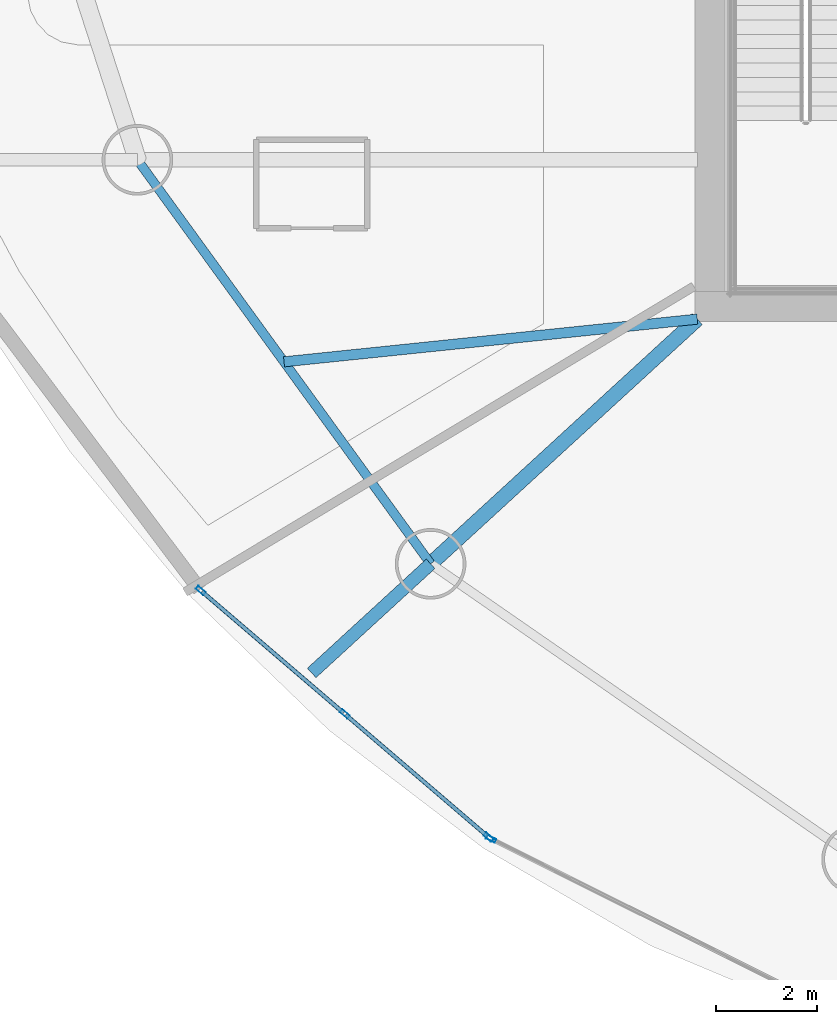
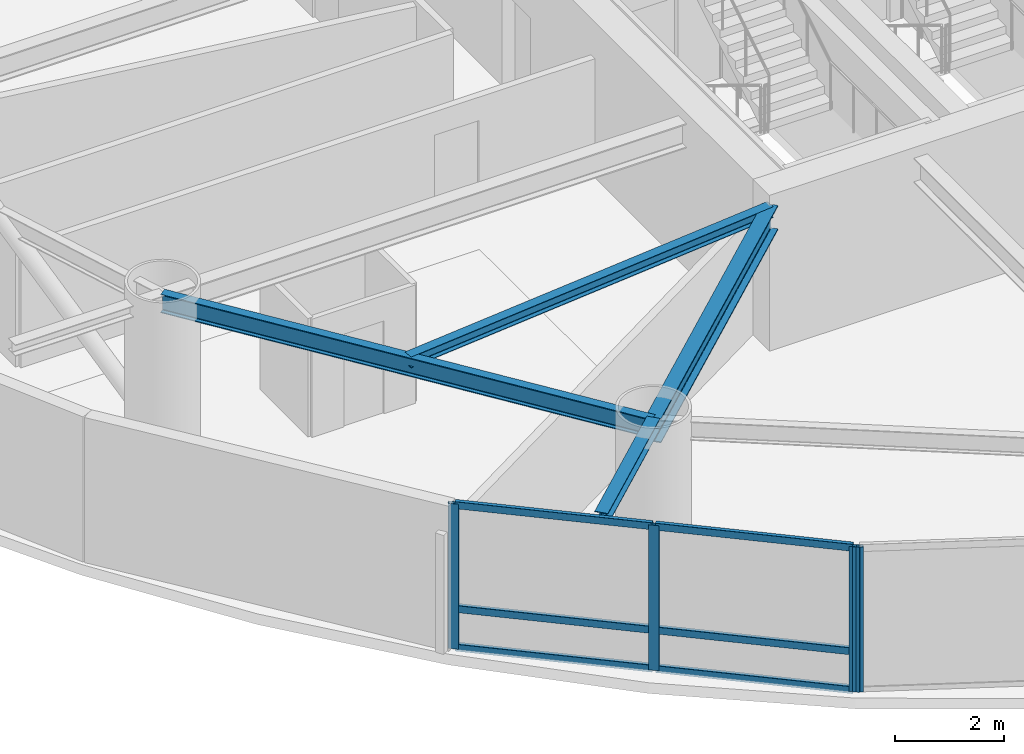
# One storey, part 2 of 19: 10 members, 4 beams, 2 elements without a shape of their own.
"""IFC4 building model written with IfcOpenShell, lengths in metres."""

from ifc_helpers import new_model, si_unit, direction, frame, origin, origin_2d, place, context, subcontext, project, spatial, hollow_rectangle, i_section, extrude, material, layer, layer_set, material_profile, profile_set, type_object, element, aggregate, save


model = new_model("IFC4")

# Units and contexts
model_context = context("Model", 3, precision=1e-05, world=origin(), true_north=direction((0.0, 1.0)))
body_context = subcontext(model_context, "Body", "Model", "MODEL_VIEW")
ifc_project = project(units=[si_unit("LENGTHUNIT", "METRE"), si_unit("AREAUNIT", "SQUARE_METRE"), si_unit("VOLUMEUNIT", "CUBIC_METRE"), si_unit("PLANEANGLEUNIT", "RADIAN"), si_unit("MASSUNIT", "GRAM", prefix="KILO")], contexts=[model_context])

# Site, building, storey
site_placement = place(None, origin())
site = spatial("IfcSite", under=ifc_project, at=site_placement, CompositionType="ELEMENT")
building_placement = place(site_placement, origin())
building = spatial("IfcBuilding", under=site, at=building_placement, Name="Bramvorn Convention Spire", CompositionType="ELEMENT")
storey_placement = place(building_placement, frame((0.0, 0.0, 109.800048828125)))
storey = spatial("IfcBuildingStorey", under=building, at=storey_placement, Name="L26", CompositionType="ELEMENT", Elevation=109.800048828125)

# Beams
ifc_material_1 = material(Name="Steel CSA G40.21 Grade 350 (350W)", Category="steel")
ifc_material_profile_1 = material_profile(ifc_material_1, i_section(OverallWidth=0.201904296875, OverallDepth=0.2470703125, WebThickness=0.00732421875, FlangeThickness=0.010986328125, FilletRadius=0.011962890625, at=origin_2d()))
ifc_profile_set_1 = profile_set([ifc_material_profile_1], Name="Steel CSA G40.21 Grade 350 (350W) - W250X49")
beam_type_1 = type_object("IfcBeamType", Name="BM-W250X49", PredefinedType="JOIST", material=ifc_profile_set_1)
beam_1_placement = place(storey_placement, frame((26.75, 18.550048828125, 3.136474609375), z_axis=(-0.994705076194, -0.102770673804, 0.0), x_axis=(0.102770673804, -0.994705076194, 0.0)))
element("IfcBeam", 1, at=beam_1_placement, inside=storey, type_object=beam_type_1, Name="L26 composite floor joist 11", PredefinedType="JOIST", context=body_context, shape_type="SweptSolid", body=[
    extrude(i_section(OverallWidth=0.201904296875, OverallDepth=0.2470703125, WebThickness=0.00732421875, FlangeThickness=0.010986328125, FilletRadius=0.011962890625, at=origin_2d()), origin(), (0.0, 0.0, 1.0), 8.23388671875),
])
ifc_material_profile_2 = material_profile(ifc_material_1, i_section(OverallWidth=0.25390625, OverallDepth=0.2529296875, WebThickness=0.008544921875, FlangeThickness=0.01416015625, FilletRadius=0.011962890625, at=origin_2d()))
ifc_profile_set_2 = profile_set([ifc_material_profile_2], Name="Steel CSA G40.21 Grade 350 (350W) - W250X73")
beam_type_2 = type_object("IfcBeamType", Name="BM-W250X73", PredefinedType="BEAM", material=ifc_profile_set_2)
beam_2_placement = place(storey_placement, frame((21.465087890625, 13.700927734375, 3.133544921875), z_axis=(-0.736821501531, -0.676087327852, 0.0), x_axis=(0.676087327852, -0.736821501531, 0.0)))
element("IfcBeam", 2, at=beam_2_placement, inside=storey, type_object=beam_type_2, Name="L26 slab-edge cantilever tip beam MC12", PredefinedType="BEAM", context=body_context, shape_type="SweptSolid", body=[
    extrude(i_section(OverallWidth=0.25390625, OverallDepth=0.2529296875, WebThickness=0.008544921875, FlangeThickness=0.01416015625, FilletRadius=0.011962890625, at=origin_2d()), origin(), (0.0, 0.0, 1.0), 3.19970703125),
])
ifc_material_profile_3 = material_profile(ifc_material_1, i_section(OverallWidth=0.180908203125, OverallDepth=0.4169921875, WebThickness=0.010986328125, FlangeThickness=0.018310546875, FilletRadius=0.01611328125, at=origin_2d()))
ifc_profile_set_3 = profile_set([ifc_material_profile_3], Name="Steel CSA G40.21 Grade 350 (350W) - W410X85")
beam_type_3 = type_object("IfcBeamType", Name="BM-W410X85", PredefinedType="JOIST", material=ifc_profile_set_3)
beam_3_placement = place(storey_placement, frame((15.654296875, 21.706787109375, 3.051513671875), z_axis=(0.587401024629, -0.809296012757, 0.0), x_axis=(0.809296012757, 0.587401024629, 0.0)))
element("IfcBeam", 3, at=beam_3_placement, inside=storey, type_object=beam_type_3, Name="L26 mega-column ring beam 11", PredefinedType="JOIST", context=body_context, shape_type="SweptSolid", body=[
    extrude(i_section(OverallWidth=0.180908203125, OverallDepth=0.4169921875, WebThickness=0.010986328125, FlangeThickness=0.018310546875, FilletRadius=0.01611328125, at=origin_2d()), origin(), (0.0, 0.0, 1.0), 9.892333984375),
])
ifc_material_profile_4 = material_profile(ifc_material_1, i_section(OverallWidth=0.2919921875, OverallDepth=0.551025390625, WebThickness=0.01513671875, FlangeThickness=0.0244140625, FilletRadius=0.01904296875, at=origin_2d()))
ifc_profile_set_4 = profile_set([ifc_material_profile_4], Name="Steel CSA G40.21 Grade 350 (350W) - W530X182")
beam_type_4 = type_object("IfcBeamType", Name="BM-W530X182", PredefinedType="BEAM", material=ifc_profile_set_4)
beam_4_placement = place(storey_placement, frame((26.75, 18.550048828125, 2.984375), z_axis=(-0.736833323746, -0.676074443399, 0.0), x_axis=(0.676074443399, -0.736833323746, 0.0)))
element("IfcBeam", 4, at=beam_4_placement, inside=storey, type_object=beam_type_4, Name="L26 radial floor girder MC12", PredefinedType="BEAM", context=body_context, shape_type="SweptSolid", body=[
    extrude(i_section(OverallWidth=0.2919921875, OverallDepth=0.551025390625, WebThickness=0.01513671875, FlangeThickness=0.0244140625, FilletRadius=0.01904296875, at=origin_2d()), origin(), (0.0, 0.0, 1.0), 7.17236328125),
])

# Curtain wall, members
ifc_material_2 = material(Name="Anodised Bronze Unitised Curtain Wall", Category="aluminium")
ifc_layer = layer(ifc_material_2, 0.179931640625)
ifc_layer_set = layer_set([ifc_layer], Name="Anodised Bronze Unitised Curtain Wall - CW-HTL-FRIT")
curtain_wall_type = type_object("IfcCurtainWallType", Name="CW-HTL-FRIT", PredefinedType="USERDEFINED", material=ifc_layer_set)
curtain_wall_1_placement = place(storey_placement, origin())
curtain_wall_1 = element("IfcCurtainWall", 5, at=curtain_wall_1_placement, inside=storey, type_object=curtain_wall_type, Name="L26 fritted glass curtain wall 17", ObjectType="UNITISED CURTAIN WALL", PredefinedType="USERDEFINED")
ifc_material_3 = material(Name="Anodised Bronze Aluminium 6063-T6", Category="aluminium")
ifc_material_profile_5 = material_profile(ifc_material_3, hollow_rectangle(XDim=0.080078125, YDim=0.199951171875, WallThickness=0.00390625, InnerFilletRadius=0.0009765625, OuterFilletRadius=0.00390625, at=origin_2d()))
ifc_profile_set_5 = profile_set([ifc_material_profile_5], Name="Anodised Bronze Aluminium 6063-T6 - CWM80X200")
member_type_1 = type_object("IfcMemberType", Name="CW-MUL-180", PredefinedType="MULLION", material=ifc_profile_set_5)
member_1_placement = place(storey_placement, frame((22.61328125, 8.28271484375, 0.0), z_axis=(0.0, 0.0, 1.0), x_axis=(-0.650769613147, -0.759275253518, 0.0)))
member_1 = element("IfcMember", 6, at=member_1_placement, type_object=member_type_1, Name="CW2 mullion 1", PredefinedType="MULLION", context=body_context, shape_type="SweptSolid", body=[
    extrude(hollow_rectangle(XDim=0.080078125, YDim=0.199951171875, WallThickness=0.00390625, InnerFilletRadius=0.0009765625, OuterFilletRadius=0.00390625, at=origin_2d()), origin(), (0.0, 0.0, 1.0), 3.260009765625),
])
member_2_placement = place(storey_placement, frame((19.762451171875, 10.726318359375, 0.0), z_axis=(0.0, 0.0, 1.0), x_axis=(-0.650769613147, -0.759275253518, 0.0)))
member_2 = element("IfcMember", 7, at=member_2_placement, type_object=member_type_1, Name="CW2 mullion 2", PredefinedType="MULLION", context=body_context, shape_type="SweptSolid", body=[
    extrude(hollow_rectangle(XDim=0.080078125, YDim=0.199951171875, WallThickness=0.00390625, InnerFilletRadius=0.0009765625, OuterFilletRadius=0.00390625, at=origin_2d()), origin(), (0.0, 0.0, 1.0), 3.260009765625),
])
member_3_placement = place(storey_placement, frame((16.911865234375, 13.169677734375, 0.0), z_axis=(0.0, 0.0, 1.0), x_axis=(-0.650769613147, -0.759275253518, 0.0)))
member_3 = element("IfcMember", 8, at=member_3_placement, type_object=member_type_1, Name="CW2 mullion 3", PredefinedType="MULLION", context=body_context, shape_type="SweptSolid", body=[
    extrude(hollow_rectangle(XDim=0.080078125, YDim=0.199951171875, WallThickness=0.00390625, InnerFilletRadius=0.0009765625, OuterFilletRadius=0.00390625, at=origin_2d()), origin(), (0.0, 0.0, 1.0), 3.260009765625),
])

# Curtain wall, member
curtain_wall_2_placement = place(storey_placement, origin())
curtain_wall_2 = element("IfcCurtainWall", 9, at=curtain_wall_2_placement, inside=storey, type_object=curtain_wall_type, Name="L26 fritted glass curtain wall 18", ObjectType="UNITISED CURTAIN WALL", PredefinedType="USERDEFINED")
member_4_placement = place(storey_placement, frame((22.662841796875, 8.25, 0.0), z_axis=(0.0, 0.0, 1.0), x_axis=(-0.446168331949, -0.89494905976, 0.0)))
member_4 = element("IfcMember", 10, at=member_4_placement, type_object=member_type_1, Name="CW2 mullion 2", PredefinedType="MULLION", context=body_context, shape_type="SweptSolid", body=[
    extrude(hollow_rectangle(XDim=0.080078125, YDim=0.199951171875, WallThickness=0.00390625, InnerFilletRadius=0.0009765625, OuterFilletRadius=0.00390625, at=origin_2d()), origin(), (0.0, 0.0, 1.0), 3.260009765625),
])
aggregate(curtain_wall_2, [member_4])

# Member
ifc_material_profile_6 = material_profile(ifc_material_3, hollow_rectangle(XDim=0.080078125, YDim=0.159912109375, WallThickness=0.00390625, InnerFilletRadius=0.0009765625, OuterFilletRadius=0.00390625, at=origin_2d()))
ifc_profile_set_6 = profile_set([ifc_material_profile_6], Name="Anodised Bronze Aluminium 6063-T6 - CWT80X160")
member_type_2 = type_object("IfcMemberType", Name="CW-TRN-150", PredefinedType="USERDEFINED", material=ifc_profile_set_6)
member_5_placement = place(storey_placement, frame((22.590576171875, 8.30224609375, 0.030029296875), z_axis=(-0.759242609084, 0.650807698596, 0.0), x_axis=(-0.650807698596, -0.759242609084, 0.0)))
member_5 = element("IfcMember", 11, at=member_5_placement, type_object=member_type_2, Name="CW2 transom 1.1", ObjectType="TRANSOM", PredefinedType="USERDEFINED", context=body_context, shape_type="SweptSolid", body=[
    extrude(hollow_rectangle(XDim=0.080078125, YDim=0.159912109375, WallThickness=0.00390625, InnerFilletRadius=0.0009765625, OuterFilletRadius=0.00390625, at=origin_2d()), origin(), (0.0, 0.0, 1.0), 3.69482421875),
])

member_6_placement = place(storey_placement, frame((22.590576171875, 8.30224609375, 0.89990234375), z_axis=(-0.759242609084, 0.650807698596, 0.0), x_axis=(-0.650807698596, -0.759242609084, 0.0)))
member_6 = element("IfcMember", 12, at=member_6_placement, type_object=member_type_2, Name="CW2 transom 1.2", ObjectType="TRANSOM", PredefinedType="USERDEFINED", context=body_context, shape_type="SweptSolid", body=[
    extrude(hollow_rectangle(XDim=0.080078125, YDim=0.159912109375, WallThickness=0.00390625, InnerFilletRadius=0.0009765625, OuterFilletRadius=0.00390625, at=origin_2d()), origin(), (0.0, 0.0, 1.0), 3.69482421875),
])

member_7_placement = place(storey_placement, frame((22.590576171875, 8.30224609375, 3.22998046875), z_axis=(-0.759242609084, 0.650807698596, 0.0), x_axis=(-0.650807698596, -0.759242609084, 0.0)))
member_7 = element("IfcMember", 13, at=member_7_placement, type_object=member_type_2, Name="CW2 transom 1.3", ObjectType="TRANSOM", PredefinedType="USERDEFINED", context=body_context, shape_type="SweptSolid", body=[
    extrude(hollow_rectangle(XDim=0.080078125, YDim=0.159912109375, WallThickness=0.00390625, InnerFilletRadius=0.0009765625, OuterFilletRadius=0.00390625, at=origin_2d()), origin(), (0.0, 0.0, 1.0), 3.69482421875),
])

member_8_placement = place(storey_placement, frame((19.73974609375, 10.74560546875, 0.030029296875), z_axis=(-0.759242609084, 0.650807698596, 0.0), x_axis=(-0.650807698596, -0.759242609084, 0.0)))
member_8 = element("IfcMember", 14, at=member_8_placement, type_object=member_type_2, Name="CW2 transom 2.1", ObjectType="TRANSOM", PredefinedType="USERDEFINED", context=body_context, shape_type="SweptSolid", body=[
    extrude(hollow_rectangle(XDim=0.080078125, YDim=0.159912109375, WallThickness=0.00390625, InnerFilletRadius=0.0009765625, OuterFilletRadius=0.00390625, at=origin_2d()), origin(), (0.0, 0.0, 1.0), 3.69482421875),
])

member_9_placement = place(storey_placement, frame((19.73974609375, 10.74560546875, 0.89990234375), z_axis=(-0.759242609084, 0.650807698596, 0.0), x_axis=(-0.650807698596, -0.759242609084, 0.0)))
member_9 = element("IfcMember", 15, at=member_9_placement, type_object=member_type_2, Name="CW2 transom 2.2", ObjectType="TRANSOM", PredefinedType="USERDEFINED", context=body_context, shape_type="SweptSolid", body=[
    extrude(hollow_rectangle(XDim=0.080078125, YDim=0.159912109375, WallThickness=0.00390625, InnerFilletRadius=0.0009765625, OuterFilletRadius=0.00390625, at=origin_2d()), origin(), (0.0, 0.0, 1.0), 3.69482421875),
])

member_10_placement = place(storey_placement, frame((19.73974609375, 10.74560546875, 3.22998046875), z_axis=(-0.759242609084, 0.650807698596, 0.0), x_axis=(-0.650807698596, -0.759242609084, 0.0)))
member_10 = element("IfcMember", 16, at=member_10_placement, type_object=member_type_2, Name="CW2 transom 2.3", ObjectType="TRANSOM", PredefinedType="USERDEFINED", context=body_context, shape_type="SweptSolid", body=[
    extrude(hollow_rectangle(XDim=0.080078125, YDim=0.159912109375, WallThickness=0.00390625, InnerFilletRadius=0.0009765625, OuterFilletRadius=0.00390625, at=origin_2d()), origin(), (0.0, 0.0, 1.0), 3.69482421875),
])

aggregate(curtain_wall_1, [member_1, member_2, member_3, member_5, member_6, member_7, member_8, member_9, member_10])

save(model, "model.ifc")
